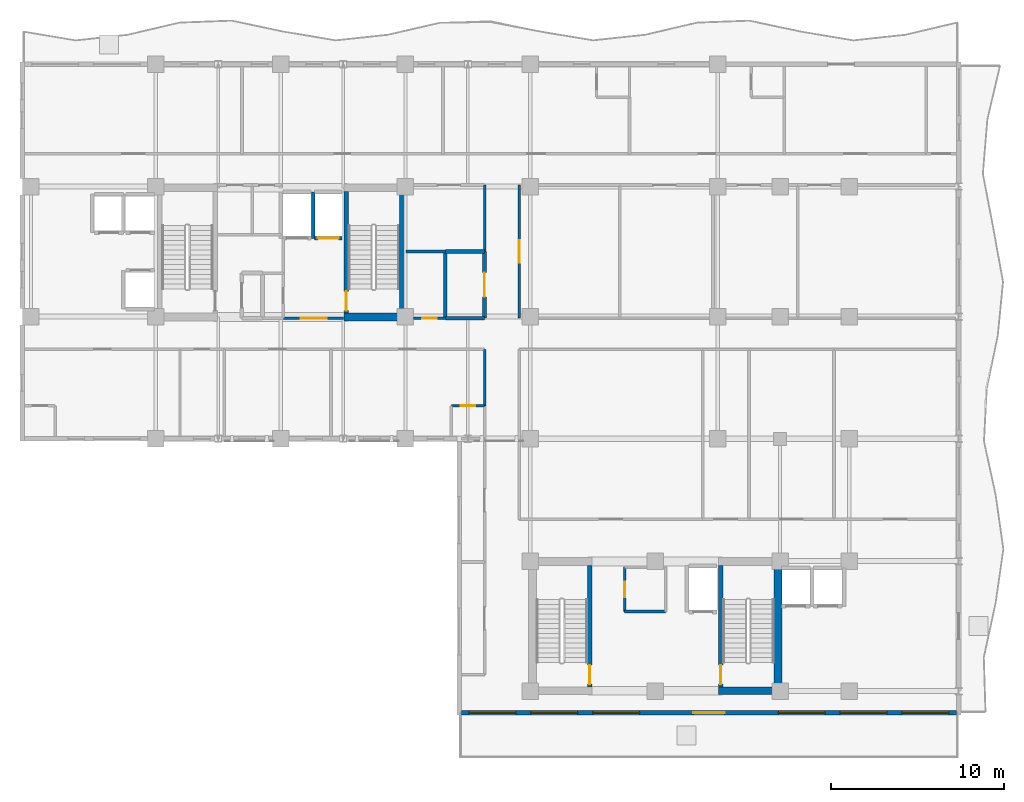
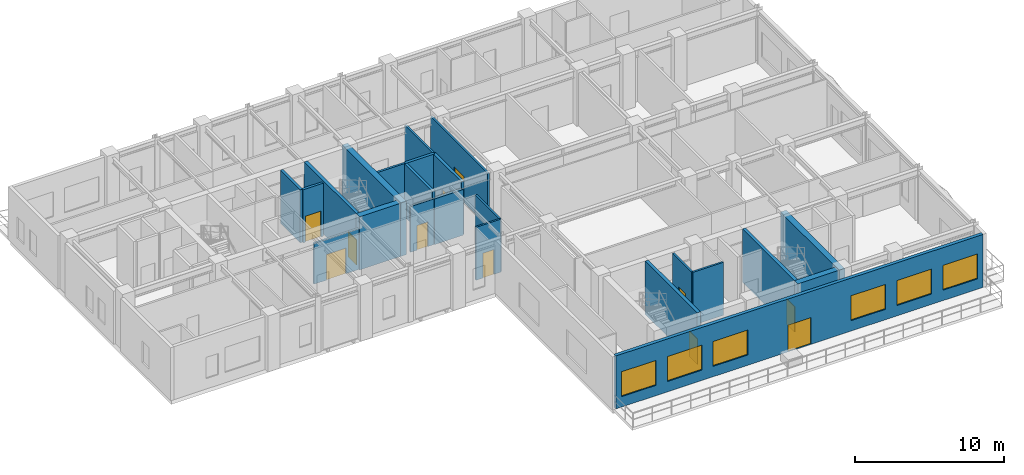
# One storey, part 7 of 14: 23 walls, 11 doors, 6 windows, 17 openings.
"""IFC4 building model written with IfcOpenShell, lengths in metres."""

import ifcopenshell
import ifcopenshell.guid

model = None  # the IFC model being written
_history = None  # IfcOwnerHistory: only IFC2X3 demands one
_inside = {}  # id of a spatial element -> (the spatial element, [elements in it])
_under = {}  # id of a project, library or spatial element -> (it, [spatial elements below it])
_declared = {}  # id of a project -> (the project, [libraries it declares])
_typed = {}  # id of a type object -> (the type object, [elements of that type])
_made_of = {}  # id of a material, layer set ... -> (it, [elements and type objects made of it])


def new_model(schema):
    """Start an empty IFC model of exactly this schema.

    Asked for "IFC4X3", IfcOpenShell would pick the latest addendum, in which some entities
    have other attributes; the version numbers below select the first issue.
    IFC2X3 requires an IfcOwnerHistory on every rooted entity: one is made here for all.
    """
    global model, _history
    if schema == "IFC4X3":
        model = ifcopenshell.file(schema_version=(4, 3, 0, 0))
    else:
        model = ifcopenshell.file(schema=schema)
    _inside.clear()
    _under.clear()
    _declared.clear()
    _typed.clear()
    _made_of.clear()
    _history = None
    if model.schema == "IFC2X3":
        org = make("IfcOrganization", Name="unknown")
        user = make(
            "IfcPersonAndOrganization",
            ThePerson=make("IfcPerson", FamilyName="unknown"),
            TheOrganization=org,
        )
        app = make(
            "IfcApplication",
            ApplicationDeveloper=org,
            Version="unknown",
            ApplicationFullName="unknown",
            ApplicationIdentifier="unknown",
        )
        _history = make(
            "IfcOwnerHistory",
            OwningUser=user,
            OwningApplication=app,
            ChangeAction="ADDED",
            CreationDate=0,
        )
    return model


def make(cls, **values):
    """One entity of the class cls with the attributes given. An attribute that is None is left unset."""
    return model.create_entity(
        cls, **{name: value for name, value in values.items() if value is not None}
    )


def rooted(cls, **values):
    """An entity with a GlobalId (a new one), such as an element, a storey or a relation."""
    return make(cls, GlobalId=ifcopenshell.guid.new(), OwnerHistory=_history, **values)


def si_unit(unit_type, name, prefix=None):
    """IfcSIUnit, for example si_unit("LENGTHUNIT", "METRE", prefix="MILLI")."""
    return make("IfcSIUnit", UnitType=unit_type, Prefix=prefix, Name=name)


def assignment(units):
    """IfcUnitAssignment: the units of a project."""
    return None if units is None else make("IfcUnitAssignment", Units=units)


def point(xyz):
    """IfcCartesianPoint."""
    return None if xyz is None else make("IfcCartesianPoint", Coordinates=xyz)


def direction(xyz):
    """IfcDirection."""
    return None if xyz is None else make("IfcDirection", DirectionRatios=xyz)


def frame(location, z_axis=None, x_axis=None):
    """IfcAxis2Placement3D, a coordinate frame: its origin and axes. An axis left out is left unset."""
    return make(
        "IfcAxis2Placement3D",
        Location=point(location),
        Axis=direction(z_axis),
        RefDirection=direction(x_axis),
    )


def frame_2d(location, x_axis=None):
    """IfcAxis2Placement2D, a coordinate frame in the plane: its origin and x axis."""
    return make(
        "IfcAxis2Placement2D", Location=point(location), RefDirection=direction(x_axis)
    )


def origin():
    """The frame at (0, 0, 0) with its axes left unset."""
    return frame((0.0, 0.0, 0.0))


def place(relative_to, where):
    """IfcLocalPlacement: puts the frame where relative to a parent placement (None: the world)."""
    return make(
        "IfcLocalPlacement", PlacementRelTo=relative_to, RelativePlacement=where
    )


def context(
    kind, dimensions, precision=None, world=None, true_north=None, identifier=None
):
    """IfcGeometricRepresentationContext, for example the 3D "Model" context."""
    return make(
        "IfcGeometricRepresentationContext",
        ContextIdentifier=identifier,
        ContextType=kind,
        CoordinateSpaceDimension=dimensions,
        Precision=precision,
        WorldCoordinateSystem=world,
        TrueNorth=true_north,
    )


def subcontext(parent, identifier, kind, view, scale=None):
    """IfcGeometricRepresentationSubContext, for example "Body" below "Model"."""
    return make(
        "IfcGeometricRepresentationSubContext",
        ContextIdentifier=identifier,
        ContextType=kind,
        ParentContext=parent,
        TargetScale=scale,
        TargetView=view,
    )


def project(units=None, contexts=None):
    """IfcProject with its units and contexts."""
    return rooted(
        "IfcProject",
        Name="project",
        RepresentationContexts=contexts,
        UnitsInContext=assignment(units),
    )


def spatial(cls, under=None, at=None, **own):
    """A site, building, storey or space (cls), placed at a placement, below another one or the project."""
    s = rooted(cls, ObjectPlacement=at, **own)
    if under is not None:
        _under.setdefault(under.id(), (under, []))[1].append(s)
    return s


def profile(cls, at=None, kind="AREA", **sizes):
    """A parametric profile (cls). Its sizes go by their IFC names, for example OverallWidth=200.0."""
    return make(cls, ProfileType=kind, Position=at, **sizes)


def rectangle(**sizes):
    """IfcRectangleProfileDef."""
    return profile("IfcRectangleProfileDef", **sizes)


def extrude(swept, where, along, depth):
    """IfcExtrudedAreaSolid: the profile swept, set in the frame where, extruded along a direction by depth."""
    return make(
        "IfcExtrudedAreaSolid",
        SweptArea=swept,
        Position=where,
        ExtrudedDirection=direction(along),
        Depth=depth,
    )


def shape(context_of_items, identifier, shape_type, items):
    """IfcShapeRepresentation: the items that make up one representation, for example the "Body"."""
    return make(
        "IfcShapeRepresentation",
        ContextOfItems=context_of_items,
        RepresentationIdentifier=identifier,
        RepresentationType=shape_type,
        Items=items,
    )


def material(Name=None, Category=None):
    """IfcMaterial."""
    return make("IfcMaterial", Name=Name, Category=Category)


def layer(
    of_material, thickness, ventilated=None, Name=None, Category=None, Priority=None
):
    """IfcMaterialLayer: one layer of a wall or slab, of a material (None: an air gap)."""
    return make(
        "IfcMaterialLayer",
        Material=of_material,
        LayerThickness=thickness,
        IsVentilated=ventilated,
        Name=Name,
        Category=Category,
        Priority=Priority,
    )


def layer_set(layers, Name=None):
    """IfcMaterialLayerSet."""
    return make("IfcMaterialLayerSet", MaterialLayers=layers, LayerSetName=Name)


def made_of(thing, what):
    """Note that an element or type object is made of a material, layer set ...; save() writes the relation."""
    if what is not None:
        _made_of.setdefault(what.id(), (what, []))[1].append(thing)
    return thing


def type_object(cls, material=None, **own):
    """A type object (cls), such as IfcWallType, which elements share."""
    return made_of(rooted(cls, **own), material)


def element(
    cls,
    number,
    at=None,
    inside=None,
    cuts=None,
    type_object=None,
    material=None,
    context=None,
    identifier="Body",
    shape_type=None,
    held_by="IfcProductDefinitionShape",
    body=None,
    shapes=None,
    **own,
):
    """One element of the class cls, such as IfcWall. Its Tag is "e" and its number.

    at: its placement. inside: the storey or other place that contains it. cuts: it is an
    opening in that element (IfcRelVoidsElement). A single representation is given by context,
    identifier, shape_type and body (its items); several are given by shapes. held_by: the class
    of the entity that holds the representations. save() writes the other relations.
    """
    e = rooted(cls, Tag="e%d" % number, ObjectPlacement=at, **own)
    if body is not None:
        shapes = [shape(context, identifier, shape_type, body)]
    if shapes is not None:
        e.Representation = make(held_by, Representations=shapes)
    if inside is not None:
        _inside.setdefault(inside.id(), (inside, []))[1].append(e)
    if cuts is not None:
        rooted(
            "IfcRelVoidsElement", RelatingBuildingElement=cuts, RelatedOpeningElement=e
        )
    if type_object is not None:
        _typed.setdefault(type_object.id(), (type_object, []))[1].append(e)
    return made_of(e, material)


def fill(opening, filler):
    """IfcRelFillsElement: the door or window that sits in an opening."""
    return rooted(
        "IfcRelFillsElement",
        RelatingOpeningElement=opening,
        RelatedBuildingElement=filler,
    )


def aggregate(whole, parts):
    """IfcRelAggregates: a whole, such as a stair, and the parts it consists of."""
    return rooted("IfcRelAggregates", RelatingObject=whole, RelatedObjects=parts)


def save(model, path):
    """Write the relations noted so far, then the file.

    IfcRelAggregates (storeys below a building ...), IfcRelContainedInSpatialStructure (elements
    in a storey), IfcRelDefinesByType, IfcRelAssociatesMaterial and IfcRelDeclares: one each for
    every whole, place, type object, material and project.
    """
    for whole, parts in _under.values():
        aggregate(whole, parts)
    for where, things in _inside.values():
        rooted(
            "IfcRelContainedInSpatialStructure",
            RelatedElements=things,
            RelatingStructure=where,
        )
    for kind, things in _typed.values():
        rooted("IfcRelDefinesByType", RelatedObjects=things, RelatingType=kind)
    for what, things in _made_of.values():
        rooted("IfcRelAssociatesMaterial", RelatedObjects=things, RelatingMaterial=what)
    for by, libraries in _declared.values():
        rooted("IfcRelDeclares", RelatingContext=by, RelatedDefinitions=libraries)
    model.write(path)


model = new_model("IFC4")

# Units and contexts
model_context = context("Model", 3, precision=1e-05, world=origin(), true_north=direction((0.0, 1.0)))
body_context = subcontext(model_context, "Body", "Model", "MODEL_VIEW")
ifc_project = project(units=[si_unit("LENGTHUNIT", "METRE"), si_unit("AREAUNIT", "SQUARE_METRE"), si_unit("VOLUMEUNIT", "CUBIC_METRE"), si_unit("PLANEANGLEUNIT", "RADIAN"), si_unit("MASSUNIT", "GRAM", prefix="KILO")], contexts=[model_context])

# Site, building, storey
site_placement = place(None, origin())
site = spatial("IfcSite", under=ifc_project, at=site_placement, CompositionType="ELEMENT")
building_placement = place(site_placement, origin())
building = spatial("IfcBuilding", under=site, at=building_placement, Name="Kaliganga Portal Commons", CompositionType="ELEMENT")
storey_placement = place(building_placement, frame((0.0, 0.0, 197.199951171875)))
storey = spatial("IfcBuildingStorey", under=building, at=storey_placement, Name="L50", CompositionType="ELEMENT", Elevation=197.199951171875)

# Walls
ifc_material_1 = material(Name="Concrete C60/75", Category="concrete")
ifc_layer_1 = layer(ifc_material_1, 0.449951171875)
ifc_layer_set_1 = layer_set([ifc_layer_1], Name="Concrete C60/75")
wall_type_1 = type_object("IfcWallType", Name="WL-CORE-450", PredefinedType="SHEAR", material=ifc_layer_set_1)
wall_1_placement = place(storey_placement, frame((28.675048828125, 28.39990234375, 0.0), z_axis=(0.0, 0.0, 1.0), x_axis=(0.0, 1.0, 0.0)))
element("IfcWall", 1, at=wall_1_placement, inside=storey, type_object=wall_type_1, Name="Core A East Shear Wall L50", PredefinedType="SHEAR", context=body_context, shape_type="SweptSolid", body=[
    extrude(rectangle(XDim=7.900146484375, YDim=0.449951171875, at=frame_2d((3.9501953125, 0.0))), origin(), (0.0, 0.0, 1.0), 4.3701171875),
])
wall_2_placement = place(storey_placement, frame((25.25, 28.625, 0.0), z_axis=(0.0, 0.0, 1.0), x_axis=(1.0, 0.0, 0.0)))
element("IfcWall", 2, at=wall_2_placement, inside=storey, type_object=wall_type_1, Name="Core A S-East Shear Wall L50", PredefinedType="SHEAR", context=body_context, shape_type="SweptSolid", body=[
    extrude(rectangle(XDim=3.199951171875, YDim=0.449951171875, at=frame_2d((1.60009765625, 0.0))), origin(), (0.0, 0.0, 1.0), 4.3701171875),
])
wall_3_placement = place(storey_placement, frame((50.27490234375, 6.85009765625, 0.0), z_axis=(0.0, 0.0, 1.0), x_axis=(0.0, 1.0, 0.0)))
element("IfcWall", 3, at=wall_3_placement, inside=storey, type_object=wall_type_1, Name="Core B East Shear Wall L50", PredefinedType="SHEAR", context=body_context, shape_type="SweptSolid", body=[
    extrude(rectangle(XDim=7.89990234375, YDim=0.449951171875, at=frame_2d((3.949951171875, 0.0))), origin(), (0.0, 0.0, 1.0), 4.3701171875),
])
wall_4_placement = place(storey_placement, frame((46.85009765625, 7.074951171875, 0.0), z_axis=(0.0, 0.0, 1.0), x_axis=(1.0, 0.0, 0.0)))
element("IfcWall", 4, at=wall_4_placement, inside=storey, type_object=wall_type_1, Name="Core B S-East Shear Wall L50", PredefinedType="SHEAR", context=body_context, shape_type="SweptSolid", body=[
    extrude(rectangle(XDim=3.199951171875, YDim=0.449951171875, at=frame_2d((1.60009765625, 0.0))), origin(), (0.0, 0.0, 1.0), 4.3701171875),
])

# Wall, openings, door, windows
ifc_material_2 = material(Name="Insulated Aluminium-Clad Spandrel Assembly", Category="aluminium")
ifc_layer_2 = layer(ifc_material_2, 0.260009765625)
ifc_layer_set_2 = layer_set([ifc_layer_2], Name="Insulated Aluminium-Clad Spandrel Assembly")
wall_type_2 = type_object("IfcWallType", Name="WL-EXT-SPAND-260", PredefinedType="STANDARD", material=ifc_layer_set_2)
wall_5_placement = place(storey_placement, frame((60.56494140625, 5.800048828125, 0.0), z_axis=(0.0, 0.0, 1.0), x_axis=(-1.0, 0.0, 0.0)))
wall_5 = element("IfcWall", 5, at=wall_5_placement, inside=storey, type_object=wall_type_2, Name="Exterior Envelope Wall L50 P1-E00-S1", PredefinedType="STANDARD", context=body_context, shape_type="SweptSolid", body=[
    extrude(rectangle(XDim=28.530029296875, YDim=0.260009765625, at=frame_2d((14.26513671875, 0.0))), origin(), (0.0, 0.0, 1.0), 4.35009765625),
])
opening_1_placement = place(wall_5_placement, frame((13.364990234375, 0.0, 0.0)))
opening_1 = element("IfcOpeningElement", 6, at=opening_1_placement, cuts=wall_5, Name="Opening TD-01", PredefinedType="OPENING", context=body_context, shape_type="SweptSolid", body=[
    extrude(rectangle(XDim=1.800048828125, YDim=2.199951171875, at=frame_2d((0.89990234375, 1.10009765625))), frame((0.0, 0.14013671875, 0.0), z_axis=(0.0, -1.0, 0.0), x_axis=(1.0, 0.0, 0.0)), (0.0, 0.0, 1.0), 0.280029296875),
])
opening_2_placement = place(wall_5_placement, frame((0.43310546875, 0.0, 0.85009765625)))
opening_2 = element("IfcOpeningElement", 7, at=opening_2_placement, cuts=wall_5, Name="Opening W-07", PredefinedType="OPENING", context=body_context, shape_type="SweptSolid", body=[
    extrude(rectangle(XDim=2.699951171875, YDim=2.050048828125, at=frame_2d((1.35009765625, 1.02490234375))), frame((0.0, 0.14013671875, 0.0), z_axis=(0.0, -1.0, 0.0), x_axis=(1.0, 0.0, 0.0)), (0.0, 0.0, 1.0), 0.280029296875),
])
opening_3_placement = place(wall_5_placement, frame((3.99951171875, 0.0, 0.85009765625)))
opening_3 = element("IfcOpeningElement", 8, at=opening_3_placement, cuts=wall_5, Name="Opening W-07", PredefinedType="OPENING", context=body_context, shape_type="SweptSolid", body=[
    extrude(rectangle(XDim=2.699951171875, YDim=2.050048828125, at=frame_2d((1.35009765625, 1.02490234375))), frame((0.0, 0.14013671875, 0.0), z_axis=(0.0, -1.0, 0.0), x_axis=(1.0, 0.0, 0.0)), (0.0, 0.0, 1.0), 0.280029296875),
])
opening_4_placement = place(wall_5_placement, frame((7.565673828125, 0.0, 0.85009765625)))
opening_4 = element("IfcOpeningElement", 9, at=opening_4_placement, cuts=wall_5, Name="Opening W-07", PredefinedType="OPENING", context=body_context, shape_type="SweptSolid", body=[
    extrude(rectangle(XDim=2.699951171875, YDim=2.050048828125, at=frame_2d((1.35009765625, 1.02490234375))), frame((0.0, 0.14013671875, 0.0), z_axis=(0.0, -1.0, 0.0), x_axis=(1.0, 0.0, 0.0)), (0.0, 0.0, 1.0), 0.280029296875),
])
opening_5_placement = place(wall_5_placement, frame((18.264404296875, 0.0, 0.85009765625)))
opening_5 = element("IfcOpeningElement", 10, at=opening_5_placement, cuts=wall_5, Name="Opening W-07", PredefinedType="OPENING", context=body_context, shape_type="SweptSolid", body=[
    extrude(rectangle(XDim=2.699951171875, YDim=2.050048828125, at=frame_2d((1.35009765625, 1.02490234375))), frame((0.0, 0.14013671875, 0.0), z_axis=(0.0, -1.0, 0.0), x_axis=(1.0, 0.0, 0.0)), (0.0, 0.0, 1.0), 0.280029296875),
])
opening_6_placement = place(wall_5_placement, frame((21.83056640625, 0.0, 0.85009765625)))
opening_6 = element("IfcOpeningElement", 11, at=opening_6_placement, cuts=wall_5, Name="Opening W-07", PredefinedType="OPENING", context=body_context, shape_type="SweptSolid", body=[
    extrude(rectangle(XDim=2.699951171875, YDim=2.050048828125, at=frame_2d((1.35009765625, 1.02490234375))), frame((0.0, 0.14013671875, 0.0), z_axis=(0.0, -1.0, 0.0), x_axis=(1.0, 0.0, 0.0)), (0.0, 0.0, 1.0), 0.280029296875),
])
opening_7_placement = place(wall_5_placement, frame((25.39697265625, 0.0, 0.85009765625)))
opening_7 = element("IfcOpeningElement", 12, at=opening_7_placement, cuts=wall_5, Name="Opening W-07", PredefinedType="OPENING", context=body_context, shape_type="SweptSolid", body=[
    extrude(rectangle(XDim=2.699951171875, YDim=2.050048828125, at=frame_2d((1.35009765625, 1.02490234375))), frame((0.0, 0.14013671875, 0.0), z_axis=(0.0, -1.0, 0.0), x_axis=(1.0, 0.0, 0.0)), (0.0, 0.0, 1.0), 0.280029296875),
])
ifc_material_3 = material(Name="Anodized Aluminium and Laminated Safety Glass", Category="aluminium")
door_type_1 = type_object("IfcDoorType", Name="DR-TERR-1800", OperationType="DOUBLE_DOOR_SINGLE_SWING", PredefinedType="DOOR", material=ifc_material_3)
door_1_placement = place(opening_1_placement, origin())
door_1 = element("IfcDoor", 13, at=door_1_placement, inside=storey, type_object=door_type_1, Name="Terrace Access Door L50 skygarden_l50", OperationType="DOUBLE_DOOR_SINGLE_SWING", OverallHeight=2.199951171875, OverallWidth=1.800048828125, PredefinedType="DOOR", context=body_context, shape_type="SweptSolid", body=[
    extrude(rectangle(XDim=1.800048828125, YDim=2.199951171875, at=frame_2d((0.89990234375, 1.10009765625))), frame((0.0, 0.02490234375, 0.0), z_axis=(0.0, -1.0, 0.0), x_axis=(1.0, 0.0, 0.0)), (0.0, 0.0, 1.0), 0.050048828125),
])
fill(opening_1, door_1)
ifc_material_4 = material(Name="Thermally Broken Aluminium and Low-E Double Glazing", Category="aluminium")
window_type = type_object("IfcWindowType", Name="WIN-LOUNGE-2700", PartitioningType="TRIPLE_PANEL_VERTICAL", PredefinedType="WINDOW", material=ifc_material_4)
window_1_placement = place(opening_2_placement, origin())
window_1 = element("IfcWindow", 14, at=window_1_placement, inside=storey, type_object=window_type, Name="Facade Window L50-P1E00S1-00", OverallHeight=2.050048828125, OverallWidth=2.699951171875, PartitioningType="SINGLE_PANEL", PredefinedType="WINDOW", context=body_context, shape_type="SweptSolid", body=[
    extrude(rectangle(XDim=2.699951171875, YDim=2.050048828125, at=frame_2d((1.35009765625, 1.02490234375))), frame((0.0, 0.030029296875, 0.0), z_axis=(0.0, -1.0, 0.0), x_axis=(1.0, 0.0, 0.0)), (0.0, 0.0, 1.0), 0.06005859375),
])
fill(opening_2, window_1)
window_2_placement = place(opening_3_placement, origin())
window_2 = element("IfcWindow", 15, at=window_2_placement, inside=storey, type_object=window_type, Name="Facade Window L50-P1E00S1-01", OverallHeight=2.050048828125, OverallWidth=2.699951171875, PartitioningType="SINGLE_PANEL", PredefinedType="WINDOW", context=body_context, shape_type="SweptSolid", body=[
    extrude(rectangle(XDim=2.699951171875, YDim=2.050048828125, at=frame_2d((1.35009765625, 1.02490234375))), frame((0.0, 0.030029296875, 0.0), z_axis=(0.0, -1.0, 0.0), x_axis=(1.0, 0.0, 0.0)), (0.0, 0.0, 1.0), 0.06005859375),
])
fill(opening_3, window_2)
window_3_placement = place(opening_4_placement, origin())
window_3 = element("IfcWindow", 16, at=window_3_placement, inside=storey, type_object=window_type, Name="Facade Window L50-P1E00S1-02", OverallHeight=2.050048828125, OverallWidth=2.699951171875, PartitioningType="SINGLE_PANEL", PredefinedType="WINDOW", context=body_context, shape_type="SweptSolid", body=[
    extrude(rectangle(XDim=2.699951171875, YDim=2.050048828125, at=frame_2d((1.35009765625, 1.02490234375))), frame((0.0, 0.030029296875, 0.0), z_axis=(0.0, -1.0, 0.0), x_axis=(1.0, 0.0, 0.0)), (0.0, 0.0, 1.0), 0.06005859375),
])
fill(opening_4, window_3)
window_4_placement = place(opening_5_placement, origin())
window_4 = element("IfcWindow", 17, at=window_4_placement, inside=storey, type_object=window_type, Name="Facade Window L50-P1E00S1-05", OverallHeight=2.050048828125, OverallWidth=2.699951171875, PartitioningType="SINGLE_PANEL", PredefinedType="WINDOW", context=body_context, shape_type="SweptSolid", body=[
    extrude(rectangle(XDim=2.699951171875, YDim=2.050048828125, at=frame_2d((1.35009765625, 1.02490234375))), frame((0.0, 0.030029296875, 0.0), z_axis=(0.0, -1.0, 0.0), x_axis=(1.0, 0.0, 0.0)), (0.0, 0.0, 1.0), 0.06005859375),
])
fill(opening_5, window_4)
window_5_placement = place(opening_6_placement, origin())
window_5 = element("IfcWindow", 18, at=window_5_placement, inside=storey, type_object=window_type, Name="Facade Window L50-P1E00S1-06", OverallHeight=2.050048828125, OverallWidth=2.699951171875, PartitioningType="SINGLE_PANEL", PredefinedType="WINDOW", context=body_context, shape_type="SweptSolid", body=[
    extrude(rectangle(XDim=2.699951171875, YDim=2.050048828125, at=frame_2d((1.35009765625, 1.02490234375))), frame((0.0, 0.030029296875, 0.0), z_axis=(0.0, -1.0, 0.0), x_axis=(1.0, 0.0, 0.0)), (0.0, 0.0, 1.0), 0.06005859375),
])
fill(opening_6, window_5)
window_6_placement = place(opening_7_placement, origin())
window_6 = element("IfcWindow", 19, at=window_6_placement, inside=storey, type_object=window_type, Name="Facade Window L50-P1E00S1-07", OverallHeight=2.050048828125, OverallWidth=2.699951171875, PartitioningType="SINGLE_PANEL", PredefinedType="WINDOW", context=body_context, shape_type="SweptSolid", body=[
    extrude(rectangle(XDim=2.699951171875, YDim=2.050048828125, at=frame_2d((1.35009765625, 1.02490234375))), frame((0.0, 0.030029296875, 0.0), z_axis=(0.0, -1.0, 0.0), x_axis=(1.0, 0.0, 0.0)), (0.0, 0.0, 1.0), 0.06005859375),
])
fill(opening_7, window_6)

# Wall, opening, door
ifc_material_5 = material(Name="Fire-Rated Gypsum Board on Steel Stud", Category="steel")
ifc_layer_3 = layer(ifc_material_5, 0.14990234375)
ifc_layer_set_3 = layer_set([ifc_layer_3], Name="Fire-Rated Gypsum Board on Steel Stud")
wall_type_3 = type_object("IfcWallType", Name="WL-PART-CORR-150", PredefinedType="PARTITIONING", material=ifc_layer_set_3)
wall_6_placement = place(storey_placement, frame((35.360107421875, 28.56005859375, 0.0), z_axis=(0.0, 0.0, 1.0), x_axis=(0.0, 1.0, 0.0)))
wall_6 = element("IfcWall", 20, at=wall_6_placement, inside=storey, type_object=wall_type_3, Name="Interior Partition L50-024", PredefinedType="PARTITIONING", context=body_context, shape_type="SweptSolid", body=[
    extrude(rectangle(XDim=7.679931640625, YDim=0.14990234375, at=frame_2d((3.83984375, 0.0))), origin(), (0.0, 0.0, 1.0), 4.35009765625),
])
opening_8_placement = place(wall_6_placement, frame((3.18994140625, 0.0, 0.0)))
opening_8 = element("IfcOpeningElement", 21, at=opening_8_placement, cuts=wall_6, Name="Opening RD-03", PredefinedType="OPENING", context=body_context, shape_type="SweptSolid", body=[
    extrude(rectangle(XDim=1.300048828125, YDim=2.1201171875, at=frame_2d((0.64990234375, 1.06005859375))), frame((0.0, 0.0849609375, 0.0), z_axis=(0.0, -1.0, 0.0), x_axis=(1.0, 0.0, 0.0)), (0.0, 0.0, 1.0), 0.169921875),
])
ifc_material_6 = material(Name="Glazed Timber Seminar Vision Door", Category="wood")
door_type_2 = type_object("IfcDoorType", Name="DR-STUDY-1300", OperationType="DOUBLE_DOOR_SINGLE_SWING", PredefinedType="DOOR", material=ifc_material_6)
door_2_placement = place(opening_8_placement, origin())
door_2 = element("IfcDoor", 22, at=door_2_placement, inside=storey, type_object=door_type_2, Name="Interior Door L50-BK01", OperationType="DOUBLE_DOOR_SINGLE_SWING", OverallHeight=2.1201171875, OverallWidth=1.300048828125, PredefinedType="DOOR", context=body_context, shape_type="SweptSolid", body=[
    extrude(rectangle(XDim=1.300048828125, YDim=2.1201171875, at=frame_2d((0.64990234375, 1.06005859375))), frame((0.0, 0.02490234375, 0.0), z_axis=(0.0, -1.0, 0.0), x_axis=(1.0, 0.0, 0.0)), (0.0, 0.0, 1.0), 0.050048828125),
])
fill(opening_8, door_2)

# Walls
wall_7_placement = place(storey_placement, frame((33.360107421875, 32.39990234375, 0.0), z_axis=(0.0, 0.0, 1.0), x_axis=(0.0, 1.0, 0.0)))
element("IfcWall", 23, at=wall_7_placement, inside=storey, type_object=wall_type_3, Name="Interior Partition L50-035", PredefinedType="PARTITIONING", context=body_context, shape_type="SweptSolid", body=[
    extrude(rectangle(XDim=3.840087890625, YDim=0.14990234375, at=frame_2d((1.919921875, 0.0))), origin(), (0.0, 0.0, 1.0), 4.35009765625),
])
wall_8_placement = place(storey_placement, frame((33.360107421875, 23.5, 0.0), z_axis=(0.0, 0.0, 1.0), x_axis=(0.0, 1.0, 0.0)))
element("IfcWall", 24, at=wall_8_placement, inside=storey, type_object=wall_type_3, Name="Interior Partition L50-037", PredefinedType="PARTITIONING", context=body_context, shape_type="SweptSolid", body=[
    extrude(rectangle(XDim=3.260009765625, YDim=0.14990234375, at=frame_2d((1.6298828125, 0.0))), origin(), (0.0, 0.0, 1.0), 4.35009765625),
])

# Wall, opening, door
wall_9_placement = place(storey_placement, frame((41.43994140625, 11.639892578125, 0.0), z_axis=(0.0, 0.0, 1.0), x_axis=(0.0, 1.0, 0.0)))
wall_9 = element("IfcWall", 25, at=wall_9_placement, inside=storey, type_object=wall_type_3, Name="Interior Partition L50-041", PredefinedType="PARTITIONING", context=body_context, shape_type="SweptSolid", body=[
    extrude(rectangle(XDim=2.56005859375, YDim=0.14990234375, at=frame_2d((1.280029296875, 0.0))), origin(), (0.0, 0.0, 1.0), 4.35009765625),
])
opening_9_placement = place(wall_9_placement, frame((0.830078125, 0.0, 0.0)))
opening_9 = element("IfcOpeningElement", 26, at=opening_9_placement, cuts=wall_9, Name="Opening RD-01", PredefinedType="OPENING", context=body_context, shape_type="SweptSolid", body=[
    extrude(rectangle(XDim=0.89990234375, YDim=2.080078125, at=frame_2d((0.449951171875, 1.0400390625))), frame((0.0, 0.0849609375, 0.0), z_axis=(0.0, -1.0, 0.0), x_axis=(1.0, 0.0, 0.0)), (0.0, 0.0, 1.0), 0.169921875),
])
ifc_material_7 = material(Name="Engineered Timber Flush Door", Category="wood")
door_type_3 = type_object("IfcDoorType", Name="DR-ROOM-900", OperationType="NOTDEFINED", PredefinedType="DOOR", material=ifc_material_7)
door_3_placement = place(opening_9_placement, origin())
door_3 = element("IfcDoor", 27, at=door_3_placement, inside=storey, type_object=door_type_3, Name="Interior Door L50-CREC_B1", OperationType="SINGLE_SWING_LEFT", OverallHeight=2.080078125, OverallWidth=0.89990234375, PredefinedType="DOOR", context=body_context, shape_type="SweptSolid", body=[
    extrude(rectangle(XDim=0.89990234375, YDim=2.080078125, at=frame_2d((0.449951171875, 1.0400390625))), frame((0.0, 0.02490234375, 0.0), z_axis=(0.0, -1.0, 0.0), x_axis=(1.0, 0.0, 0.0)), (0.0, 0.0, 1.0), 0.050048828125),
])
fill(opening_9, door_3)

# Wall
wall_10_placement = place(storey_placement, frame((41.43994140625, 11.639892578125, 0.0), z_axis=(0.0, 0.0, 1.0), x_axis=(1.0, 0.0, 0.0)))
element("IfcWall", 28, at=wall_10_placement, inside=storey, type_object=wall_type_3, Name="Interior Partition L50-043", PredefinedType="PARTITIONING", context=body_context, shape_type="SweptSolid", body=[
    extrude(rectangle(XDim=2.360107421875, YDim=0.14990234375, at=frame_2d((1.18017578125, 0.0))), origin(), (0.0, 0.0, 1.0), 4.35009765625),
])

# Wall, opening, door
wall_11_placement = place(storey_placement, frame((29.27490234375, 28.56005859375, 0.0), z_axis=(0.0, 0.0, 1.0), x_axis=(1.0, 0.0, 0.0)))
wall_11 = element("IfcWall", 29, at=wall_11_placement, inside=storey, type_object=wall_type_3, Name="Interior Partition L50-044", PredefinedType="PARTITIONING", context=body_context, shape_type="SweptSolid", body=[
    extrude(rectangle(XDim=1.8251953125, YDim=0.14990234375, at=frame_2d((0.91259765625, 0.0))), origin(), (0.0, 0.0, 1.0), 3.75),
])
opening_10_placement = place(wall_11_placement, frame((0.482421875, 0.0, 0.0)))
opening_10 = element("IfcOpeningElement", 30, at=opening_10_placement, cuts=wall_11, Name="Opening WD-02", PredefinedType="OPENING", context=body_context, shape_type="SweptSolid", body=[
    extrude(rectangle(XDim=0.860107421875, YDim=2.02001953125, at=frame_2d((0.43017578125, 1.010009765625))), frame((0.0, 0.0849609375, 0.0), z_axis=(0.0, -1.0, 0.0), x_axis=(1.0, 0.0, 0.0)), (0.0, 0.0, 1.0), 0.169921875),
])
ifc_material_8 = material(Name="Fire-Rated Utility Closet Door", Category="wood")
door_type_4 = type_object("IfcDoorType", Name="DR-STORE-800", OperationType="NOTDEFINED", PredefinedType="DOOR", material=ifc_material_8)
door_4_placement = place(opening_10_placement, origin())
door_4 = element("IfcDoor", 31, at=door_4_placement, inside=storey, type_object=door_type_4, Name="Interior Door L50-CSRV_A1", OperationType="SINGLE_SWING_LEFT", OverallHeight=2.02001953125, OverallWidth=0.860107421875, PredefinedType="DOOR", context=body_context, shape_type="SweptSolid", body=[
    extrude(rectangle(XDim=0.860107421875, YDim=2.02001953125, at=frame_2d((0.43017578125, 1.010009765625))), frame((0.0, 0.02490234375, 0.0), z_axis=(0.0, -1.0, 0.0), x_axis=(1.0, 0.0, 0.0)), (0.0, 0.0, 1.0), 0.050048828125),
])
fill(opening_10, door_4)

wall_12_placement = place(storey_placement, frame((21.760009765625, 28.56005859375, 0.0), z_axis=(0.0, 0.0, 1.0), x_axis=(1.0, 0.0, 0.0)))
wall_12 = element("IfcWall", 32, at=wall_12_placement, inside=storey, type_object=wall_type_3, Name="Interior Partition L50-077", PredefinedType="PARTITIONING", context=body_context, shape_type="SweptSolid", body=[
    extrude(rectangle(XDim=3.47998046875, YDim=0.14990234375, at=frame_2d((1.739990234375, 0.0))), origin(), (0.0, 0.0, 1.0), 3.35009765625),
])
opening_11_placement = place(wall_12_placement, frame((0.989990234375, 0.0, 0.0)))
opening_11 = element("IfcOpeningElement", 33, at=opening_11_placement, cuts=wall_12, Name="Opening FD-01", PredefinedType="OPENING", context=body_context, shape_type="SweptSolid", body=[
    extrude(rectangle(XDim=1.5, YDim=2.10009765625, at=frame_2d((0.75, 1.050048828125))), frame((0.0, 0.0849609375, 0.0), z_axis=(0.0, -1.0, 0.0), x_axis=(1.0, 0.0, 0.0)), (0.0, 0.0, 1.0), 0.169921875),
])
ifc_material_9 = material(Name="Fire-Rated Hardwood and Georgian-Wired Vision Panel", Category="wood")
door_type_5 = type_object("IfcDoorType", Name="DR-LOBBY-1500", OperationType="DOUBLE_DOOR_SINGLE_SWING", PredefinedType="DOOR", material=ifc_material_9)
door_5_placement = place(opening_11_placement, origin())
door_5 = element("IfcDoor", 34, at=door_5_placement, inside=storey, type_object=door_type_5, Name="Interior Door L50-FFLOB_A", OperationType="DOUBLE_DOOR_SINGLE_SWING", OverallHeight=2.10009765625, OverallWidth=1.5, PredefinedType="DOOR", context=body_context, shape_type="SweptSolid", body=[
    extrude(rectangle(XDim=1.5, YDim=2.10009765625, at=frame_2d((0.75, 1.050048828125))), frame((0.0, 0.02490234375, 0.0), z_axis=(0.0, -1.0, 0.0), x_axis=(1.0, 0.0, 0.0)), (0.0, 0.0, 1.0), 0.050048828125),
])
fill(opening_11, door_5)

ifc_material_10 = material(Name="Lightweight blockwork masonry", Category="masonry")
ifc_layer_4 = layer(ifc_material_10, 0.215087890625)
ifc_layer_set_4 = layer_set([ifc_layer_4], Name="Lightweight blockwork masonry")
wall_type_4 = type_object("IfcWallType", Name="WL-PART-PLANT-215", PredefinedType="PARTITIONING", material=ifc_layer_set_4)
wall_13_placement = place(storey_placement, frame((33.360107421875, 28.56005859375, 0.0), z_axis=(0.0, 0.0, 1.0), x_axis=(0.0, 1.0, 0.0)))
wall_13 = element("IfcWall", 35, at=wall_13_placement, inside=storey, type_object=wall_type_4, Name="Interior Partition L50-036", PredefinedType="PARTITIONING", context=body_context, shape_type="SweptSolid", body=[
    extrude(rectangle(XDim=3.83984375, YDim=0.215087890625, at=frame_2d((1.919921875, 0.0))), origin(), (0.0, 0.0, 1.0), 4.35009765625),
])
opening_12_placement = place(wall_13_placement, frame((1.219970703125, 0.0, 0.0)))
opening_12 = element("IfcOpeningElement", 36, at=opening_12_placement, cuts=wall_13, Name="Opening PD-01", PredefinedType="OPENING", context=body_context, shape_type="SweptSolid", body=[
    extrude(rectangle(XDim=1.39990234375, YDim=2.14990234375, at=frame_2d((0.699951171875, 1.074951171875))), frame((0.0, 0.11767578125, 0.0), z_axis=(0.0, -1.0, 0.0), x_axis=(1.0, 0.0, 0.0)), (0.0, 0.0, 1.0), 0.235107421875),
])
ifc_material_11 = material(Name="Heavy-Duty Steel Acoustic Louvre Fire Door", Category="steel")
door_type_6 = type_object("IfcDoorType", Name="DR-PLANT-1400", OperationType="DOUBLE_DOOR_SINGLE_SWING", PredefinedType="DOOR", material=ifc_material_11)
door_6_placement = place(opening_12_placement, origin())
door_6 = element("IfcDoor", 37, at=door_6_placement, inside=storey, type_object=door_type_6, Name="Interior Door L50-CSRV_A3", OperationType="DOUBLE_DOOR_SINGLE_SWING", OverallHeight=2.14990234375, OverallWidth=1.39990234375, PredefinedType="DOOR", context=body_context, shape_type="SweptSolid", body=[
    extrude(rectangle(XDim=1.39990234375, YDim=2.14990234375, at=frame_2d((0.699951171875, 1.074951171875))), frame((0.0, 0.02490234375, 0.0), z_axis=(0.0, -1.0, 0.0), x_axis=(1.0, 0.0, 0.0)), (0.0, 0.0, 1.0), 0.050048828125),
])
fill(opening_12, door_6)

# Walls
wall_14_placement = place(storey_placement, frame((31.10009765625, 28.56005859375, 0.0), z_axis=(0.0, 0.0, 1.0), x_axis=(1.0, 0.0, 0.0)))
element("IfcWall", 38, at=wall_14_placement, inside=storey, type_object=wall_type_4, Name="Interior Partition L50-045", PredefinedType="PARTITIONING", context=body_context, shape_type="SweptSolid", body=[
    extrude(rectangle(XDim=2.260009765625, YDim=0.215087890625, at=frame_2d((1.1298828125, 0.0))), origin(), (0.0, 0.0, 1.0), 3.75),
])
wall_15_placement = place(storey_placement, frame((31.10009765625, 28.56005859375, 0.0), z_axis=(0.0, 0.0, 1.0), x_axis=(0.0, 1.0, 0.0)))
element("IfcWall", 39, at=wall_15_placement, inside=storey, type_object=wall_type_4, Name="Interior Partition L50-076", PredefinedType="PARTITIONING", context=body_context, shape_type="SweptSolid", body=[
    extrude(rectangle(XDim=3.83984375, YDim=0.215087890625, at=frame_2d((1.919921875, 0.0))), origin(), (0.0, 0.0, 1.0), 4.35009765625),
])
wall_16_placement = place(storey_placement, frame((31.10009765625, 32.39990234375, 0.0), z_axis=(0.0, 0.0, 1.0), x_axis=(1.0, 0.0, 0.0)))
element("IfcWall", 40, at=wall_16_placement, inside=storey, type_object=wall_type_4, Name="Interior Partition L50-086", PredefinedType="PARTITIONING", context=body_context, shape_type="SweptSolid", body=[
    extrude(rectangle(XDim=2.260009765625, YDim=0.215087890625, at=frame_2d((1.1298828125, 0.0))), origin(), (0.0, 0.0, 1.0), 4.35009765625),
])
ifc_material_12 = material(Name="Twin-Stud Acoustic Gypsum Partition", Category="gypsum")
ifc_layer_5 = layer(ifc_material_12, 0.1650390625)
ifc_layer_set_5 = layer_set([ifc_layer_5], Name="Twin-Stud Acoustic Gypsum Partition")
wall_type_5 = type_object("IfcWallType", Name="WL-PART-UNIT-165", PredefinedType="PARTITIONING", material=ifc_layer_set_5)
wall_17_placement = place(storey_placement, frame((28.840087890625, 32.39990234375, 0.0), z_axis=(0.0, 0.0, 1.0), x_axis=(1.0, 0.0, 0.0)))
element("IfcWall", 41, at=wall_17_placement, inside=storey, type_object=wall_type_5, Name="Interior Partition L50-085", PredefinedType="PARTITIONING", context=body_context, shape_type="SweptSolid", body=[
    extrude(rectangle(XDim=2.260009765625, YDim=0.1650390625, at=frame_2d((1.1298828125, 0.0))), origin(), (0.0, 0.0, 1.0), 4.35009765625),
])

# Wall, opening, door
ifc_material_13 = material(Name="Cement-Board Wet-Room Partition", Category="gypsum")
ifc_layer_6 = layer(ifc_material_13, 0.135009765625)
ifc_layer_set_6 = layer_set([ifc_layer_6], Name="Cement-Board Wet-Room Partition")
wall_type_6 = type_object("IfcWallType", Name="WL-PART-WET-135", PredefinedType="PARTITIONING", material=ifc_layer_set_6)
wall_18_placement = place(storey_placement, frame((31.43994140625, 23.5, 0.0), z_axis=(0.0, 0.0, 1.0), x_axis=(1.0, 0.0, 0.0)))
wall_18 = element("IfcWall", 42, at=wall_18_placement, inside=storey, type_object=wall_type_6, Name="Interior Partition L50-001", PredefinedType="PARTITIONING", context=body_context, shape_type="SweptSolid", body=[
    extrude(rectangle(XDim=1.920166015625, YDim=0.135009765625, at=frame_2d((0.9599609375, 0.0))), origin(), (0.0, 0.0, 1.0), 4.35009765625),
])
opening_13_placement = place(wall_18_placement, frame((0.534912109375, 0.0, 0.0)))
opening_13 = element("IfcOpeningElement", 43, at=opening_13_placement, cuts=wall_18, Name="Opening WD-01", PredefinedType="OPENING", context=body_context, shape_type="SweptSolid", body=[
    extrude(rectangle(XDim=0.85009765625, YDim=2.0400390625, at=frame_2d((0.425048828125, 1.02001953125))), frame((0.0, 0.07763671875, 0.0), z_axis=(0.0, -1.0, 0.0), x_axis=(1.0, 0.0, 0.0)), (0.0, 0.0, 1.0), 0.155029296875),
])
ifc_material_14 = material(Name="Moisture-Resistant Laminate Timber Door", Category="wood")
door_type_7 = type_object("IfcDoorType", Name="DR-WET-850", OperationType="NOTDEFINED", PredefinedType="DOOR", material=ifc_material_14)
door_7_placement = place(opening_13_placement, origin())
door_7 = element("IfcDoor", 44, at=door_7_placement, inside=storey, type_object=door_type_7, Name="Interior Door L50-AS04E", OperationType="SINGLE_SWING_LEFT", OverallHeight=2.0400390625, OverallWidth=0.85009765625, PredefinedType="DOOR", context=body_context, shape_type="SweptSolid", body=[
    extrude(rectangle(XDim=0.85009765625, YDim=2.0400390625, at=frame_2d((0.425048828125, 1.02001953125))), frame((0.0, 0.02490234375, 0.0), z_axis=(0.0, -1.0, 0.0), x_axis=(1.0, 0.0, 0.0)), (0.0, 0.0, 1.0), 0.050048828125),
])
fill(opening_13, door_7)

# Wall
ifc_material_15 = material(Name="Fire-Rated Shaftwall Masonry Assembly", Category="masonry")
ifc_layer_7 = layer(ifc_material_15, 0.199951171875)
ifc_layer_set_7 = layer_set([ifc_layer_7], Name="Fire-Rated Shaftwall Masonry Assembly")
wall_type_7 = type_object("IfcWallType", Name="WL-SHAFT-200", PredefinedType="PARTITIONING", material=ifc_layer_set_7)
wall_19_placement = place(storey_placement, frame((23.489990234375, 33.159912109375, 0.0), z_axis=(0.0, 0.0, 1.0), x_axis=(0.0, 1.0, 0.0)))
element("IfcWall", 45, at=wall_19_placement, inside=storey, type_object=wall_type_7, Name="Lift FFL-1 Hoistway Shaft Wall L50-E", PredefinedType="PARTITIONING", context=body_context, shape_type="SweptSolid", body=[
    extrude(rectangle(XDim=2.68017578125, YDim=0.199951171875, at=frame_2d((1.340087890625, 0.0))), origin(), (0.0, 0.0, 1.0), 4.35009765625),
])

# Wall, opening, door
wall_20_placement = place(storey_placement, frame((23.550048828125, 33.159912109375, 0.0), z_axis=(0.0, 0.0, 1.0), x_axis=(1.0, 0.0, 0.0)))
wall_20 = element("IfcWall", 46, at=wall_20_placement, inside=storey, type_object=wall_type_7, Name="Lift FFL-2 Hoistway Shaft Wall L50-S", PredefinedType="PARTITIONING", context=body_context, shape_type="SweptSolid", body=[
    extrude(rectangle(XDim=1.599853515625, YDim=0.199951171875, at=frame_2d((0.7998046875, 0.0))), origin(), (0.0, 0.0, 1.0), 4.35009765625),
])
opening_14_placement = place(wall_20_placement, frame((0.199951171875, 0.0, 0.0)))
opening_14 = element("IfcOpeningElement", 47, at=opening_14_placement, cuts=wall_20, Name="Opening LD-02", PredefinedType="OPENING", context=body_context, shape_type="SweptSolid", body=[
    extrude(rectangle(XDim=1.199951171875, YDim=2.1201171875, at=frame_2d((0.60009765625, 1.06005859375))), frame((0.0, 0.10986328125, 0.0), z_axis=(0.0, -1.0, 0.0), x_axis=(1.0, 0.0, 0.0)), (0.0, 0.0, 1.0), 0.219970703125),
])
ifc_material_16 = material(Name="Brushed Stainless Steel 316 Stretcher Lift Landing Door", Category="steel")
door_type_8 = type_object("IfcDoorType", Name="DR-LIFT-1200", OperationType="SLIDING_TO_RIGHT", PredefinedType="DOOR", material=ifc_material_16)
door_8_placement = place(opening_14_placement, origin())
door_8 = element("IfcDoor", 48, at=door_8_placement, inside=storey, type_object=door_type_8, Name="Lift FFL-2 Sliding Landing Door L50", OperationType="SLIDING_TO_RIGHT", OverallHeight=2.1201171875, OverallWidth=1.199951171875, PredefinedType="DOOR", context=body_context, shape_type="SweptSolid", body=[
    extrude(rectangle(XDim=1.199951171875, YDim=2.1201171875, at=frame_2d((0.60009765625, 1.06005859375))), frame((0.0, 0.02490234375, 0.0), z_axis=(0.0, -1.0, 0.0), x_axis=(1.0, 0.0, 0.0)), (0.0, 0.0, 1.0), 0.050048828125),
])
fill(opening_14, door_8)

ifc_material_17 = material(Name="Concrete C50/60", Category="concrete")
ifc_layer_8 = layer(ifc_material_17, 0.25)
ifc_layer_set_8 = layer_set([ifc_layer_8], Name="Concrete C50/60")
wall_type_8 = type_object("IfcWallType", Name="WL-STAIR-250", PredefinedType="SHEAR", material=ifc_layer_set_8)
wall_21_placement = place(storey_placement, frame((25.375, 28.85009765625, 0.0), z_axis=(0.0, 0.0, 1.0), x_axis=(0.0, 1.0, 0.0)))
wall_21 = element("IfcWall", 49, at=wall_21_placement, inside=storey, type_object=wall_type_8, Name="Stair A2 Enclosure Shear Wall L50", PredefinedType="SHEAR", context=body_context, shape_type="SweptSolid", body=[
    extrude(rectangle(XDim=7.0, YDim=0.25, at=frame_2d((3.5, 0.0))), origin(), (0.0, 0.0, 1.0), 4.3701171875),
])
opening_15_placement = place(wall_21_placement, frame((0.14990234375, 0.0, 0.0)))
opening_15 = element("IfcOpeningElement", 50, at=opening_15_placement, cuts=wall_21, Name="Opening SD-01", PredefinedType="OPENING", context=body_context, shape_type="SweptSolid", body=[
    extrude(rectangle(XDim=1.10009765625, YDim=2.080078125, at=frame_2d((0.550048828125, 1.0400390625))), frame((0.0, 0.135009765625, 0.0), z_axis=(0.0, -1.0, 0.0), x_axis=(1.0, 0.0, 0.0)), (0.0, 0.0, 1.0), 0.27001953125),
])
ifc_material_18 = material(Name="Galvanized Steel Fire Door Leaf and Frame", Category="steel")
door_type_9 = type_object("IfcDoorType", Name="DR-STAIR-1100", OperationType="NOTDEFINED", PredefinedType="DOOR", material=ifc_material_18)
door_9_placement = place(opening_15_placement, origin())
door_9 = element("IfcDoor", 51, at=door_9_placement, inside=storey, type_object=door_type_9, Name="Protected Stair ST-A2 Fire Door L50", OperationType="SINGLE_SWING_LEFT", OverallHeight=2.080078125, OverallWidth=1.10009765625, PredefinedType="DOOR", context=body_context, shape_type="SweptSolid", body=[
    extrude(rectangle(XDim=1.10009765625, YDim=2.080078125, at=frame_2d((0.550048828125, 1.0400390625))), frame((0.0, 0.02490234375, 0.0), z_axis=(0.0, -1.0, 0.0), x_axis=(1.0, 0.0, 0.0)), (0.0, 0.0, 1.0), 0.050048828125),
])
fill(opening_15, door_9)

wall_22_placement = place(storey_placement, frame((39.425048828125, 7.300048828125, 0.0), z_axis=(0.0, 0.0, 1.0), x_axis=(0.0, 1.0, 0.0)))
wall_22 = element("IfcWall", 52, at=wall_22_placement, inside=storey, type_object=wall_type_8, Name="Stair B1 Enclosure Shear Wall L50", PredefinedType="SHEAR", context=body_context, shape_type="SweptSolid", body=[
    extrude(rectangle(XDim=7.0, YDim=0.25, at=frame_2d((3.5, 0.0))), origin(), (0.0, 0.0, 1.0), 4.3701171875),
])
opening_16_placement = place(wall_22_placement, frame((0.14990234375, 0.0, 0.0)))
opening_16 = element("IfcOpeningElement", 53, at=opening_16_placement, cuts=wall_22, Name="Opening SD-01", PredefinedType="OPENING", context=body_context, shape_type="SweptSolid", body=[
    extrude(rectangle(XDim=1.10009765625, YDim=2.080078125, at=frame_2d((0.550048828125, 1.0400390625))), frame((0.0, 0.135009765625, 0.0), z_axis=(0.0, -1.0, 0.0), x_axis=(1.0, 0.0, 0.0)), (0.0, 0.0, 1.0), 0.27001953125),
])
door_10_placement = place(opening_16_placement, origin())
door_10 = element("IfcDoor", 54, at=door_10_placement, inside=storey, type_object=door_type_9, Name="Protected Stair ST-B1 Fire Door L50", OperationType="SINGLE_SWING_RIGHT", OverallHeight=2.080078125, OverallWidth=1.10009765625, PredefinedType="DOOR", context=body_context, shape_type="SweptSolid", body=[
    extrude(rectangle(XDim=1.10009765625, YDim=2.080078125, at=frame_2d((0.550048828125, 1.0400390625))), frame((0.0, 0.02490234375, 0.0), z_axis=(0.0, -1.0, 0.0), x_axis=(1.0, 0.0, 0.0)), (0.0, 0.0, 1.0), 0.050048828125),
])
fill(opening_16, door_10)

wall_23_placement = place(storey_placement, frame((46.97509765625, 7.300048828125, 0.0), z_axis=(0.0, 0.0, 1.0), x_axis=(0.0, 1.0, 0.0)))
wall_23 = element("IfcWall", 55, at=wall_23_placement, inside=storey, type_object=wall_type_8, Name="Stair B2 Enclosure Shear Wall L50", PredefinedType="SHEAR", context=body_context, shape_type="SweptSolid", body=[
    extrude(rectangle(XDim=7.0, YDim=0.25, at=frame_2d((3.5, 0.0))), origin(), (0.0, 0.0, 1.0), 4.3701171875),
])
opening_17_placement = place(wall_23_placement, frame((0.14990234375, 0.0, 0.0)))
opening_17 = element("IfcOpeningElement", 56, at=opening_17_placement, cuts=wall_23, Name="Opening SD-01", PredefinedType="OPENING", context=body_context, shape_type="SweptSolid", body=[
    extrude(rectangle(XDim=1.10009765625, YDim=2.080078125, at=frame_2d((0.550048828125, 1.0400390625))), frame((0.0, 0.135009765625, 0.0), z_axis=(0.0, -1.0, 0.0), x_axis=(1.0, 0.0, 0.0)), (0.0, 0.0, 1.0), 0.27001953125),
])
door_11_placement = place(opening_17_placement, origin())
door_11 = element("IfcDoor", 57, at=door_11_placement, inside=storey, type_object=door_type_9, Name="Protected Stair ST-B2 Fire Door L50", OperationType="SINGLE_SWING_LEFT", OverallHeight=2.080078125, OverallWidth=1.10009765625, PredefinedType="DOOR", context=body_context, shape_type="SweptSolid", body=[
    extrude(rectangle(XDim=1.10009765625, YDim=2.080078125, at=frame_2d((0.550048828125, 1.0400390625))), frame((0.0, 0.02490234375, 0.0), z_axis=(0.0, -1.0, 0.0), x_axis=(1.0, 0.0, 0.0)), (0.0, 0.0, 1.0), 0.050048828125),
])
fill(opening_17, door_11)

save(model, "model.ifc")
